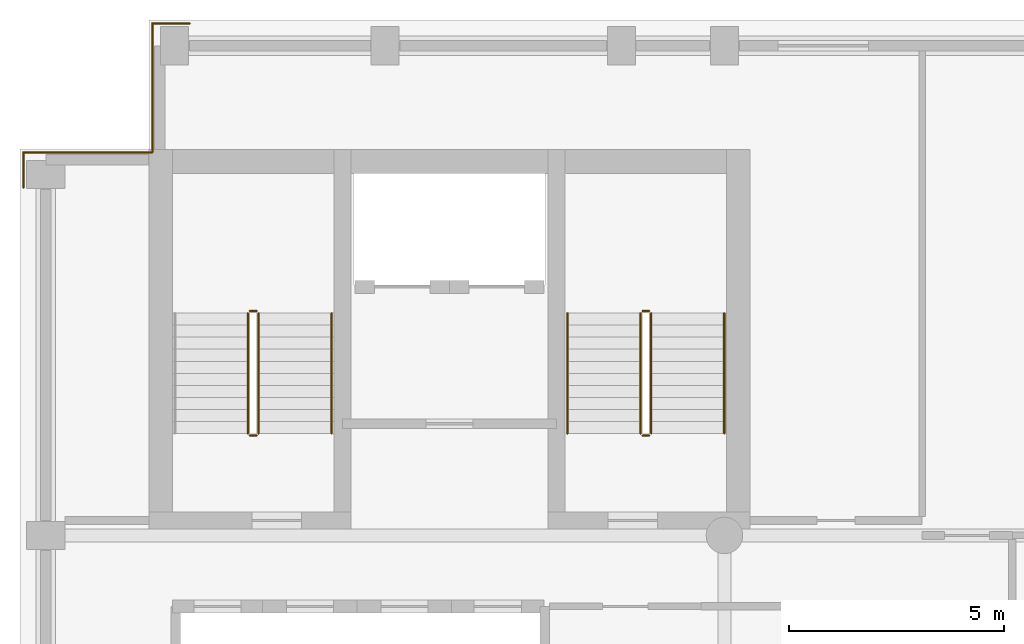
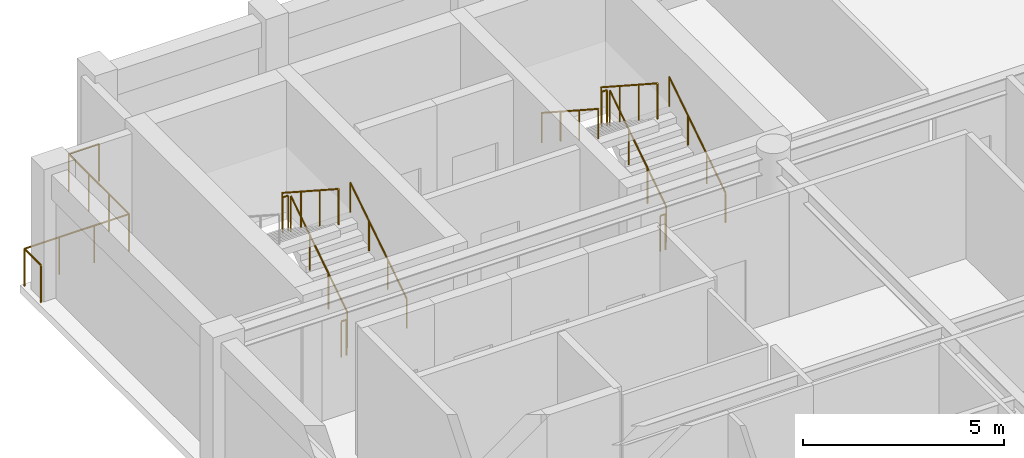
# One storey, part 8 of 9: 15 railings.
"""IFC4 building model written with IfcOpenShell, lengths in metres."""

from ifc_helpers import new_model, si_unit, direction, frame, origin, origin_2d, place, context, subcontext, project, spatial, circle, extrude, material, type_object, element, save


model = new_model("IFC4")

# Units and contexts
model_context = context("Model", 3, precision=1e-05, world=origin(), true_north=direction((0.0, 1.0)))
body_context = subcontext(model_context, "Body", "Model", "MODEL_VIEW")
ifc_project = project(units=[si_unit("LENGTHUNIT", "METRE"), si_unit("AREAUNIT", "SQUARE_METRE"), si_unit("VOLUMEUNIT", "CUBIC_METRE"), si_unit("PLANEANGLEUNIT", "RADIAN"), si_unit("MASSUNIT", "GRAM", prefix="KILO")], contexts=[model_context])

# Site, building, storey
site_placement = place(None, origin())
site = spatial("IfcSite", under=ifc_project, at=site_placement, CompositionType="ELEMENT")
building_placement = place(site_placement, origin())
building = spatial("IfcBuilding", under=site, at=building_placement, Name="Sulina Concourse Tower", CompositionType="ELEMENT")
storey_placement = place(building_placement, frame((0.0, 0.0, 297.0)))
storey = spatial("IfcBuildingStorey", under=building, at=storey_placement, Name="L72", CompositionType="ELEMENT", Elevation=297.0)

# Railings
ifc_material_1 = material(Name="Galvanised steel railing", Category="steel")
railing_type_1 = type_object("IfcRailingType", Name="Core Stair Steel Guardrail 1150mm", PredefinedType="GUARDRAIL", material=ifc_material_1)
railing_1_placement = place(storey_placement, frame((0.080078125, 42.10009765625, 0.0)))
element("IfcRailing", 1, at=railing_1_placement, inside=storey, type_object=railing_type_1, Name="L72 perimeter edge safety guardrail NW1", PredefinedType="GUARDRAIL", context=body_context, shape_type="SweptSolid", body=[
    extrude(circle(Radius=0.02392578125, at=origin_2d()), frame((0.0, 0.0, 1.1259765625), z_axis=(0.0, 1.0, 0.0), x_axis=(-1.0, 0.0, 0.0)), (0.0, 0.0, 1.0), 0.81982421875),
    extrude(circle(Radius=0.02099609375, at=origin_2d()), origin(), (0.0, 0.0, 1.0), 1.101806640625),
    extrude(circle(Radius=0.02099609375, at=origin_2d()), frame((0.0, 0.81982421875, 0.0)), (0.0, 0.0, 1.0), 1.101806640625),
])
railing_2_placement = place(storey_placement, frame((0.080078125, 42.919921875, 0.0)))
element("IfcRailing", 2, at=railing_2_placement, inside=storey, type_object=railing_type_1, Name="L72 perimeter edge safety guardrail NW2", PredefinedType="GUARDRAIL", context=body_context, shape_type="SweptSolid", body=[
    extrude(circle(Radius=0.02392578125, at=origin_2d()), frame((0.0, 0.0, 1.1259765625), z_axis=(1.0, 0.0, 0.0), x_axis=(0.0, 1.0, 0.0)), (0.0, 0.0, 1.0), 3.0),
    extrude(circle(Radius=0.02099609375, at=origin_2d()), origin(), (0.0, 0.0, 1.0), 1.101806640625),
    extrude(circle(Radius=0.02099609375, at=origin_2d()), frame((1.0, 0.0, 0.0)), (0.0, 0.0, 1.0), 1.101806640625),
    extrude(circle(Radius=0.02099609375, at=origin_2d()), frame((2.0, 0.0, 0.0)), (0.0, 0.0, 1.0), 1.101806640625),
    extrude(circle(Radius=0.02099609375, at=origin_2d()), frame((3.0, 0.0, 0.0)), (0.0, 0.0, 1.0), 1.101806640625),
])
railing_3_placement = place(storey_placement, frame((3.080078125, 42.919921875, 0.0)))
element("IfcRailing", 3, at=railing_3_placement, inside=storey, type_object=railing_type_1, Name="L72 perimeter edge safety guardrail NW3", PredefinedType="GUARDRAIL", context=body_context, shape_type="SweptSolid", body=[
    extrude(circle(Radius=0.02392578125, at=origin_2d()), frame((0.0, 0.0, 1.1259765625), z_axis=(0.0, 1.0, 0.0), x_axis=(-1.0, 0.0, 0.0)), (0.0, 0.0, 1.0), 3.0),
    extrude(circle(Radius=0.02099609375, at=origin_2d()), origin(), (0.0, 0.0, 1.0), 1.101806640625),
    extrude(circle(Radius=0.02099609375, at=origin_2d()), frame((0.0, 1.0, 0.0)), (0.0, 0.0, 1.0), 1.101806640625),
    extrude(circle(Radius=0.02099609375, at=origin_2d()), frame((0.0, 2.0, 0.0)), (0.0, 0.0, 1.0), 1.101806640625),
    extrude(circle(Radius=0.02099609375, at=origin_2d()), frame((0.0, 3.0, 0.0)), (0.0, 0.0, 1.0), 1.101806640625),
])
railing_4_placement = place(storey_placement, frame((3.080078125, 45.919921875, 0.0)))
element("IfcRailing", 4, at=railing_4_placement, inside=storey, type_object=railing_type_1, Name="L72 perimeter edge safety guardrail NW4", PredefinedType="GUARDRAIL", context=body_context, shape_type="SweptSolid", body=[
    extrude(circle(Radius=0.02392578125, at=origin_2d()), frame((0.0, 0.0, 1.1259765625), z_axis=(1.0, 0.0, 0.0), x_axis=(0.0, 1.0, 0.0)), (0.0, 0.0, 1.0), 0.869873046875),
    extrude(circle(Radius=0.02099609375, at=origin_2d()), origin(), (0.0, 0.0, 1.0), 1.101806640625),
    extrude(circle(Radius=0.02099609375, at=origin_2d()), frame((0.869873046875, 0.0, 0.0)), (0.0, 0.0, 1.0), 1.101806640625),
])
railing_5_placement = place(storey_placement, frame((5.554931640625, 36.375, 0.181884765625)))
element("IfcRailing", 5, at=railing_5_placement, inside=storey, type_object=railing_type_1, Name="L72 ST-1 stair guard 1", PredefinedType="GUARDRAIL", context=body_context, shape_type="SweptSolid", body=[
    extrude(circle(Radius=0.02392578125, at=origin_2d()), frame((0.0, 0.0, 1.076171875), z_axis=(0.0, 0.838705829183, 0.544584733623), x_axis=(-1.0, 0.0, 0.0)), (0.0, 0.0, 1.0), 3.338623046875),
    extrude(circle(Radius=0.02099609375, at=origin_2d()), origin(), (0.0, 0.0, 1.0), 1.052001953125),
    extrude(circle(Radius=0.02099609375, at=origin_2d()), frame((0.0, 0.933349609375, 0.60595703125)), (0.0, 0.0, 1.0), 1.052001953125),
    extrude(circle(Radius=0.02099609375, at=origin_2d()), frame((0.0, 1.86669921875, 1.212158203125)), (0.0, 0.0, 1.0), 1.052001953125),
    extrude(circle(Radius=0.02099609375, at=origin_2d()), frame((0.0, 2.800048828125, 1.818115234375)), (0.0, 0.0, 1.0), 1.052001953125),
])
railing_6_placement = place(storey_placement, frame((5.5048828125, 39.22509765625, 2.0)))
element("IfcRailing", 6, at=railing_6_placement, inside=storey, type_object=railing_type_1, Name="L72 ST-1 stair guard 2", PredefinedType="GUARDRAIL", context=body_context, shape_type="SweptSolid", body=[
    extrude(circle(Radius=0.02392578125, at=origin_2d()), frame((0.0, 0.0, 1.076171875), z_axis=(-1.0, 0.0, 0.0), x_axis=(0.0, -1.0, 0.0)), (0.0, 0.0, 1.0), 0.14990234375),
    extrude(circle(Radius=0.02099609375, at=origin_2d()), origin(), (0.0, 0.0, 1.0), 1.052001953125),
    extrude(circle(Radius=0.02099609375, at=origin_2d()), frame((-0.14990234375, 0.0, 0.0)), (0.0, 0.0, 1.0), 1.052001953125),
])
railing_7_placement = place(storey_placement, frame((5.304931640625, 39.175048828125, 2.181884765625)))
element("IfcRailing", 7, at=railing_7_placement, inside=storey, type_object=railing_type_1, Name="L72 ST-1 stair guard 3", PredefinedType="GUARDRAIL", context=body_context, shape_type="SweptSolid", body=[
    extrude(circle(Radius=0.02392578125, at=origin_2d()), frame((0.0, 0.0, 1.076171875), z_axis=(0.0, -0.838705829183, 0.544584733623), x_axis=(1.0, 0.0, 0.0)), (0.0, 0.0, 1.0), 3.338623046875),
    extrude(circle(Radius=0.02099609375, at=origin_2d()), origin(), (0.0, 0.0, 1.0), 1.052001953125),
    extrude(circle(Radius=0.02099609375, at=origin_2d()), frame((0.0, -0.933349609375, 0.60595703125)), (0.0, 0.0, 1.0), 1.052001953125),
    extrude(circle(Radius=0.02099609375, at=origin_2d()), frame((0.0, -1.86669921875, 1.212158203125)), (0.0, 0.0, 1.0), 1.052001953125),
    extrude(circle(Radius=0.02099609375, at=origin_2d()), frame((0.0, -2.800048828125, 1.818115234375)), (0.0, 0.0, 1.0), 1.052001953125),
])
railing_8_placement = place(storey_placement, frame((5.5048828125, 36.324951171875, 0.0)))
element("IfcRailing", 8, at=railing_8_placement, inside=storey, type_object=railing_type_1, Name="L72 ST-1 stair guard 4", PredefinedType="GUARDRAIL", context=body_context, shape_type="SweptSolid", body=[
    extrude(circle(Radius=0.02392578125, at=origin_2d()), frame((0.0, 0.0, 1.076171875), z_axis=(-1.0, 0.0, 0.0), x_axis=(0.0, -1.0, 0.0)), (0.0, 0.0, 1.0), 0.14990234375),
    extrude(circle(Radius=0.02099609375, at=origin_2d()), origin(), (0.0, 0.0, 1.0), 1.052001953125),
    extrude(circle(Radius=0.02099609375, at=origin_2d()), frame((-0.14990234375, 0.0, 0.0)), (0.0, 0.0, 1.0), 1.052001953125),
])
railing_9_placement = place(storey_placement, frame((14.695068359375, 36.375, 0.181884765625)))
element("IfcRailing", 9, at=railing_9_placement, inside=storey, type_object=railing_type_1, Name="L72 ST-2 stair guard 1", PredefinedType="GUARDRAIL", context=body_context, shape_type="SweptSolid", body=[
    extrude(circle(Radius=0.02392578125, at=origin_2d()), frame((0.0, 0.0, 1.076171875), z_axis=(0.0, 0.838705829183, 0.544584733623), x_axis=(-1.0, 0.0, 0.0)), (0.0, 0.0, 1.0), 3.338623046875),
    extrude(circle(Radius=0.02099609375, at=origin_2d()), origin(), (0.0, 0.0, 1.0), 1.052001953125),
    extrude(circle(Radius=0.02099609375, at=origin_2d()), frame((0.0, 0.933349609375, 0.60595703125)), (0.0, 0.0, 1.0), 1.052001953125),
    extrude(circle(Radius=0.02099609375, at=origin_2d()), frame((0.0, 1.86669921875, 1.212158203125)), (0.0, 0.0, 1.0), 1.052001953125),
    extrude(circle(Radius=0.02099609375, at=origin_2d()), frame((0.0, 2.800048828125, 1.818115234375)), (0.0, 0.0, 1.0), 1.052001953125),
])
railing_10_placement = place(storey_placement, frame((14.64501953125, 39.22509765625, 2.0)))
element("IfcRailing", 10, at=railing_10_placement, inside=storey, type_object=railing_type_1, Name="L72 ST-2 stair guard 2", PredefinedType="GUARDRAIL", context=body_context, shape_type="SweptSolid", body=[
    extrude(circle(Radius=0.02392578125, at=origin_2d()), frame((0.0, 0.0, 1.076171875), z_axis=(-1.0, 0.0, 0.0), x_axis=(0.0, -1.0, 0.0)), (0.0, 0.0, 1.0), 0.14990234375),
    extrude(circle(Radius=0.02099609375, at=origin_2d()), origin(), (0.0, 0.0, 1.0), 1.052001953125),
    extrude(circle(Radius=0.02099609375, at=origin_2d()), frame((-0.14990234375, 0.0, 0.0)), (0.0, 0.0, 1.0), 1.052001953125),
])
railing_11_placement = place(storey_placement, frame((14.445068359375, 39.175048828125, 2.181884765625)))
element("IfcRailing", 11, at=railing_11_placement, inside=storey, type_object=railing_type_1, Name="L72 ST-2 stair guard 3", PredefinedType="GUARDRAIL", context=body_context, shape_type="SweptSolid", body=[
    extrude(circle(Radius=0.02392578125, at=origin_2d()), frame((0.0, 0.0, 1.076171875), z_axis=(0.0, -0.838705829183, 0.544584733623), x_axis=(1.0, 0.0, 0.0)), (0.0, 0.0, 1.0), 3.338623046875),
    extrude(circle(Radius=0.02099609375, at=origin_2d()), origin(), (0.0, 0.0, 1.0), 1.052001953125),
    extrude(circle(Radius=0.02099609375, at=origin_2d()), frame((0.0, -0.933349609375, 0.60595703125)), (0.0, 0.0, 1.0), 1.052001953125),
    extrude(circle(Radius=0.02099609375, at=origin_2d()), frame((0.0, -1.86669921875, 1.212158203125)), (0.0, 0.0, 1.0), 1.052001953125),
    extrude(circle(Radius=0.02099609375, at=origin_2d()), frame((0.0, -2.800048828125, 1.818115234375)), (0.0, 0.0, 1.0), 1.052001953125),
])
railing_12_placement = place(storey_placement, frame((14.64501953125, 36.324951171875, 0.0)))
element("IfcRailing", 12, at=railing_12_placement, inside=storey, type_object=railing_type_1, Name="L72 ST-2 stair guard 4", PredefinedType="GUARDRAIL", context=body_context, shape_type="SweptSolid", body=[
    extrude(circle(Radius=0.02392578125, at=origin_2d()), frame((0.0, 0.0, 1.076171875), z_axis=(-1.0, 0.0, 0.0), x_axis=(0.0, -1.0, 0.0)), (0.0, 0.0, 1.0), 0.14990234375),
    extrude(circle(Radius=0.02099609375, at=origin_2d()), origin(), (0.0, 0.0, 1.0), 1.052001953125),
    extrude(circle(Radius=0.02099609375, at=origin_2d()), frame((-0.14990234375, 0.0, 0.0)), (0.0, 0.0, 1.0), 1.052001953125),
])
ifc_material_2 = material(Name="Galvanised steel railing", Category="steel")
railing_type_2 = type_object("IfcRailingType", Name="Stair Wall Steel Handrail 920mm", PredefinedType="HANDRAIL", material=ifc_material_2)
for number, where, name in (
    (13, (7.2548828125, 36.375, 0.181884765625), "L72 ST-1 stair handrail 1"),
    (14, (16.39501953125, 36.375, 0.181884765625), "L72 ST-2 stair handrail 1"),
):
    element("IfcRailing", number, at=place(storey_placement, frame(where)), inside=storey, type_object=railing_type_2, Name=name, PredefinedType="HANDRAIL", context=body_context, shape_type="SweptSolid", body=[
        extrude(circle(Radius=0.02392578125, at=origin_2d()), frame((0.0, 0.0, 0.89599609375), z_axis=(0.0, 0.838705829183, 0.544584733623), x_axis=(-1.0, 0.0, 0.0)), (0.0, 0.0, 1.0), 3.338623046875),
        extrude(circle(Radius=0.02099609375, at=origin_2d()), origin(), (0.0, 0.0, 1.0), 0.871826171875),
        extrude(circle(Radius=0.02099609375, at=origin_2d()), frame((0.0, 0.933349609375, 0.60595703125)), (0.0, 0.0, 1.0), 0.871826171875),
        extrude(circle(Radius=0.02099609375, at=origin_2d()), frame((0.0, 1.86669921875, 1.212158203125)), (0.0, 0.0, 1.0), 0.871826171875),
        extrude(circle(Radius=0.02099609375, at=origin_2d()), frame((0.0, 2.800048828125, 1.818115234375)), (0.0, 0.0, 1.0), 0.871826171875),
    ])
railing_13_placement = place(storey_placement, frame((12.7451171875, 39.175048828125, 2.181884765625)))
element("IfcRailing", 15, at=railing_13_placement, inside=storey, type_object=railing_type_2, Name="L72 ST-2 stair handrail 2", PredefinedType="HANDRAIL", context=body_context, shape_type="SweptSolid", body=[
    extrude(circle(Radius=0.02392578125, at=origin_2d()), frame((0.0, 0.0, 0.89599609375), z_axis=(0.0, -0.838705829183, 0.544584733623), x_axis=(1.0, 0.0, 0.0)), (0.0, 0.0, 1.0), 3.338623046875),
    extrude(circle(Radius=0.02099609375, at=origin_2d()), origin(), (0.0, 0.0, 1.0), 0.871826171875),
    extrude(circle(Radius=0.02099609375, at=origin_2d()), frame((0.0, -0.933349609375, 0.60595703125)), (0.0, 0.0, 1.0), 0.871826171875),
    extrude(circle(Radius=0.02099609375, at=origin_2d()), frame((0.0, -1.86669921875, 1.212158203125)), (0.0, 0.0, 1.0), 0.871826171875),
    extrude(circle(Radius=0.02099609375, at=origin_2d()), frame((0.0, -2.800048828125, 1.818115234375)), (0.0, 0.0, 1.0), 0.871826171875),
])

save(model, "model.ifc")
